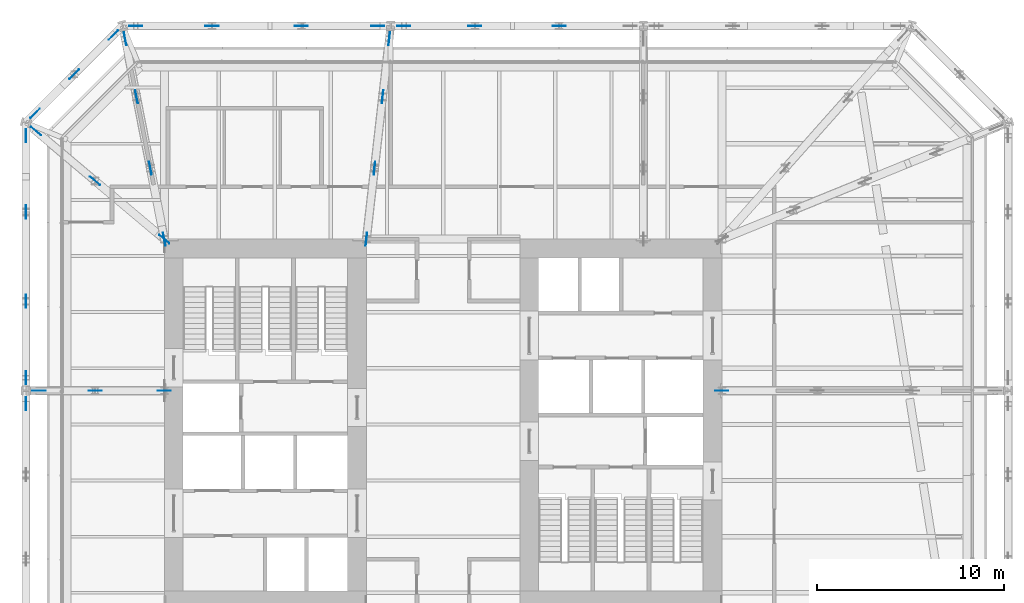
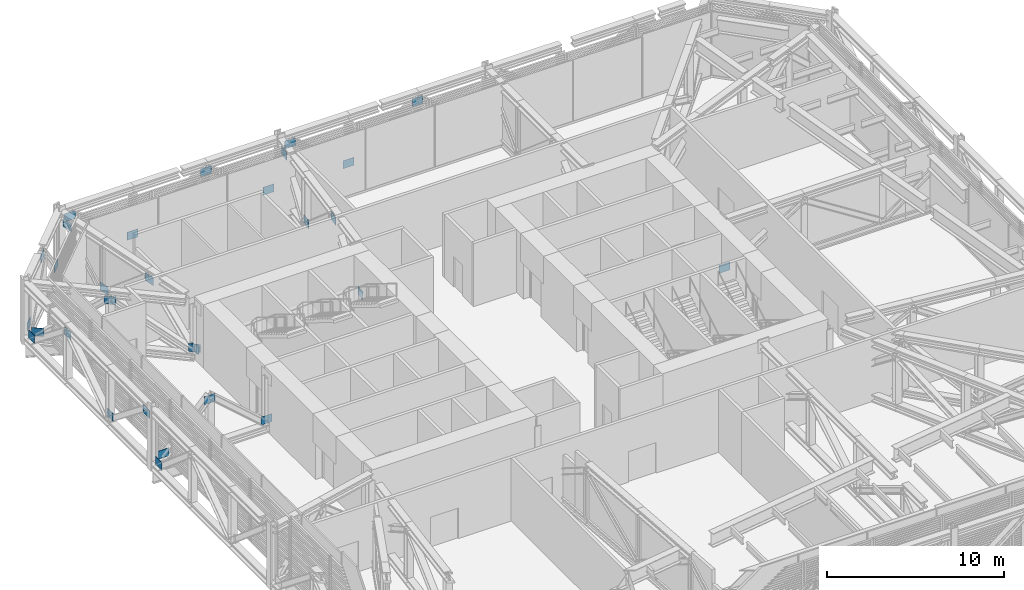
# One storey, part 29 of 31: 30 discrete accessories.
"""IFC4 building model written with IfcOpenShell, lengths in metres."""

from ifc_helpers import new_model, si_unit, direction, frame, origin, origin_2d, place, context, subcontext, project, spatial, rectangle, extrude, material, layer, layer_set, type_object, element, save


model = new_model("IFC4")

# Units and contexts
model_context = context("Model", 3, precision=1e-05, world=origin(), true_north=direction((0.0, 1.0)))
body_context = subcontext(model_context, "Body", "Model", "MODEL_VIEW")
ifc_project = project(units=[si_unit("LENGTHUNIT", "METRE"), si_unit("AREAUNIT", "SQUARE_METRE"), si_unit("VOLUMEUNIT", "CUBIC_METRE"), si_unit("PLANEANGLEUNIT", "RADIAN"), si_unit("MASSUNIT", "GRAM", prefix="KILO")], contexts=[model_context])

# Site, building, storey
site_placement = place(None, origin())
site = spatial("IfcSite", under=ifc_project, at=site_placement, CompositionType="ELEMENT")
building_placement = place(site_placement, origin())
building = spatial("IfcBuilding", under=site, at=building_placement, Name="Millrace Tower", CompositionType="ELEMENT")
storey_placement = place(building_placement, frame((0.0, 0.0, 120.39990234375)))
storey = spatial("IfcBuildingStorey", under=building, at=storey_placement, Name="L26", CompositionType="ELEMENT", Elevation=120.39990234375)

# Discrete accessories
ifc_material = material(Name="Steel ASTM A572 Grade 50", Category="steel")
ifc_layer = layer(ifc_material, 0.02490234375)
ifc_layer_set = layer_set([ifc_layer], Name="Steel ASTM A572 Grade 50")
discrete_accessory_type = type_object("IfcDiscreteAccessoryType", Name="Truss gusset plate 700x550x25", PredefinedType="BRACKET", material=ifc_layer_set)
for number, where, z_axis, x_axis, name in (
    (1, (5.85009765625, 21.300048828125, 3.46728515625), (1.0, 0.0, 0.0), (0.0, 1.0, 0.0), "Truss gusset plate BLT-L26-R11-D01 head"),
    (2, (1.35009765625, 21.300048828125, 0.77294921875), (1.0, 0.0, 0.0), (0.0, 1.0, 0.0), "Truss gusset plate BLT-L26-R11-D02 foot"),
    (3, (-2.449951171875, 21.300048828125, 3.46728515625), (1.0, 0.0, 0.0), (0.0, 1.0, 0.0), "Truss gusset plate BLT-L26-R11-D03 head"),
):
    element("IfcDiscreteAccessory", number, at=place(storey_placement, frame(where, z_axis=z_axis, x_axis=x_axis)), inside=storey, type_object=discrete_accessory_type, Name=name, PredefinedType="BRACKET", context=body_context, shape_type="SweptSolid", body=[
        extrude(rectangle(XDim=0.02490234375, YDim=0.550048828125, at=origin_2d()), origin(), (0.0, 0.0, 1.0), 0.699951171875),
    ])
discrete_accessory_1_placement = place(storey_placement, frame((-3.85009765625, 21.300048828125, 0.77294921875), z_axis=(1.0, 0.0, 0.0), x_axis=(0.0, 1.0, 0.0)))
element("IfcDiscreteAccessory", 4, at=discrete_accessory_1_placement, inside=storey, type_object=discrete_accessory_type, Name="Truss gusset plate BLT-L26-R12-D01 foot", PredefinedType="BRACKET", context=body_context, shape_type="SweptSolid", body=[
    extrude(rectangle(XDim=0.02490234375, YDim=0.550048828125, at=origin_2d()), origin(), (0.0, 0.0, 1.0), 0.7001953125),
])
discrete_accessory_2_placement = place(storey_placement, frame((-7.926025390625, 21.300048828125, 3.46728515625), z_axis=(1.0, 0.0, 0.0), x_axis=(0.0, 1.0, 0.0)))
element("IfcDiscreteAccessory", 5, at=discrete_accessory_2_placement, inside=storey, type_object=discrete_accessory_type, Name="Truss gusset plate BLT-L26-R12-D01 head", PredefinedType="BRACKET", context=body_context, shape_type="SweptSolid", body=[
    extrude(rectangle(XDim=0.02490234375, YDim=0.550048828125, at=origin_2d()), origin(), (0.0, 0.0, 1.0), 0.699951171875),
])
discrete_accessory_3_placement = place(storey_placement, frame((-12.702392578125, 21.300048828125, 0.77294921875), z_axis=(1.0, 0.0, 0.0), x_axis=(0.0, 1.0, 0.0)))
element("IfcDiscreteAccessory", 6, at=discrete_accessory_3_placement, inside=storey, type_object=discrete_accessory_type, Name="Truss gusset plate BLT-L26-R12-D02 foot", PredefinedType="BRACKET", context=body_context, shape_type="SweptSolid", body=[
    extrude(rectangle(XDim=0.02490234375, YDim=0.550048828125, at=origin_2d()), origin(), (0.0, 0.0, 1.0), 0.7001953125),
])
for number, where, z_axis, x_axis, name in (
    (7, (-16.7783203125, 21.300048828125, 3.46728515625), (1.0, 0.0, 0.0), (0.0, 1.0, 0.0), "Truss gusset plate BLT-L26-R12-D03 head"),
    (8, (-17.870849609375, 20.5576171875, 0.77294921875), (0.707106781187, 0.707106781187, 0.0), (-0.707106781187, 0.707106781187, 0.0), "Truss gusset plate BLT-L26-R13-D01 foot"),
    (9, (-19.961669921875, 18.466796875, 3.46728515625), (0.707106781187, 0.707106781187, 0.0), (-0.707106781187, 0.707106781187, 0.0), "Truss gusset plate BLT-L26-R13-D01 head"),
    (10, (-22.052490234375, 16.3759765625, 0.77294921875), (0.707106781187, 0.707106781187, 0.0), (-0.707106781187, 0.707106781187, 0.0), "Truss gusset plate BLT-L26-R13-D02 foot"),
    (11, (-22.300048828125, 15.078369140625, 0.77294921875), (0.0, 1.0, 0.0), (-1.0, 0.0, 0.0), "Truss gusset plate BLT-L26-R14-D01 foot"),
):
    element("IfcDiscreteAccessory", number, at=place(storey_placement, frame(where, z_axis=z_axis, x_axis=x_axis)), inside=storey, type_object=discrete_accessory_type, Name=name, PredefinedType="BRACKET", context=body_context, shape_type="SweptSolid", body=[
        extrude(rectangle(XDim=0.02490234375, YDim=0.550048828125, at=origin_2d()), origin(), (0.0, 0.0, 1.0), 0.699951171875),
    ])
discrete_accessory_4_placement = place(storey_placement, frame((-22.300048828125, 11.002197265625, 3.46728515625), z_axis=(0.0, 1.0, 0.0), x_axis=(-1.0, 0.0, 0.0)))
element("IfcDiscreteAccessory", 12, at=discrete_accessory_4_placement, inside=storey, type_object=discrete_accessory_type, Name="Truss gusset plate BLT-L26-R14-D01 head", PredefinedType="BRACKET", context=body_context, shape_type="SweptSolid", body=[
    extrude(rectangle(XDim=0.02490234375, YDim=0.550048828125, at=origin_2d()), origin(), (0.0, 0.0, 1.0), 0.7001953125),
])
discrete_accessory_5_placement = place(storey_placement, frame((-22.300048828125, 6.22607421875, 0.77294921875), z_axis=(0.0, 1.0, 0.0), x_axis=(-1.0, 0.0, 0.0)))
element("IfcDiscreteAccessory", 13, at=discrete_accessory_5_placement, inside=storey, type_object=discrete_accessory_type, Name="Truss gusset plate BLT-L26-R14-D02 foot", PredefinedType="BRACKET", context=body_context, shape_type="SweptSolid", body=[
    extrude(rectangle(XDim=0.02490234375, YDim=0.550048828125, at=origin_2d()), origin(), (0.0, 0.0, 1.0), 0.699951171875),
])
discrete_accessory_6_placement = place(storey_placement, frame((-22.300048828125, 2.14990234375, 3.46728515625), z_axis=(0.0, 1.0, 0.0), x_axis=(-1.0, 0.0, 0.0)))
element("IfcDiscreteAccessory", 14, at=discrete_accessory_6_placement, inside=storey, type_object=discrete_accessory_type, Name="Truss gusset plate BLT-L26-R14-D03 head", PredefinedType="BRACKET", context=body_context, shape_type="SweptSolid", body=[
    extrude(rectangle(XDim=0.02490234375, YDim=0.550048828125, at=origin_2d()), origin(), (0.0, 0.0, 1.0), 0.7001953125),
])
for number, where, z_axis, x_axis, name in (
    (15, (-22.300048828125, 0.75, 0.77294921875), (0.0, 1.0, 0.0), (-1.0, 0.0, 0.0), "Truss gusset plate BLT-L26-R15-D01 foot"),
    (16, (14.550048828125, 1.800048828125, 0.77294921875), (1.0, 0.0, 0.0), (0.0, 1.0, 0.0), "Truss gusset plate BLT-L26-O08-D01 foot"),
    (17, (-4.1396484375, 9.55224609375, 0.77294921875), (0.113340043286, 0.993556256378, 0.0), (-0.993556256378, 0.113340043286, 0.0), "Truss gusset plate BLT-L26-O12-D01 foot"),
):
    element("IfcDiscreteAccessory", number, at=place(storey_placement, frame(where, z_axis=z_axis, x_axis=x_axis)), inside=storey, type_object=discrete_accessory_type, Name=name, PredefinedType="BRACKET", context=body_context, shape_type="SweptSolid", body=[
        extrude(rectangle(XDim=0.02490234375, YDim=0.550048828125, at=origin_2d()), origin(), (0.0, 0.0, 1.0), 0.699951171875),
    ])
for number, where, z_axis, x_axis, name in (
    (18, (-3.706298828125, 13.352294921875, 3.46728515625), (0.113379328161, 0.993551774165, 0.0), (-0.993551774165, 0.113379328161, 0.0), "Truss gusset plate BLT-L26-O12-D01 head"),
    (19, (-3.27294921875, 17.15234375, 0.77294921875), (0.113379328161, 0.993551774165, 0.0), (-0.993551774165, 0.113379328161, 0.0), "Truss gusset plate BLT-L26-O12-D02 foot"),
):
    element("IfcDiscreteAccessory", number, at=place(storey_placement, frame(where, z_axis=z_axis, x_axis=x_axis)), inside=storey, type_object=discrete_accessory_type, Name=name, PredefinedType="BRACKET", context=body_context, shape_type="SweptSolid", body=[
        extrude(rectangle(XDim=0.02490234375, YDim=0.550048828125, at=origin_2d()), origin(), (0.0, 0.0, 1.0), 0.69970703125),
    ])
for number, where, z_axis, x_axis, name in (
    (20, (-2.9189453125, 20.2568359375, 3.46728515625), (0.113340043286, 0.993556256378, 0.0), (-0.993556256378, 0.113340043286, 0.0), "Truss gusset plate BLT-L26-O12-D03 head"),
    (21, (-14.967041015625, 10.243408203125, 0.77294921875), (0.191485774154, -0.981495388831, 0.0), (0.981495388831, 0.191485774154, 0.0), "Truss gusset plate BLT-L26-O13-D01 foot"),
    (22, (-15.7099609375, 14.04345703125, 3.46728515625), (0.191821741574, -0.981429783255, 0.0), (0.981429783255, 0.191821741574, 0.0), "Truss gusset plate BLT-L26-O13-D01 head"),
    (23, (-16.452880859375, 17.843505859375, 0.77294921875), (0.191821741574, -0.981429783255, 0.0), (0.981429783255, 0.191821741574, 0.0), "Truss gusset plate BLT-L26-O13-D02 foot"),
    (24, (-17.061279296875, 20.95654296875, 3.46728515625), (0.191821741574, -0.981429783255, 0.0), (0.981429783255, 0.191821741574, 0.0), "Truss gusset plate BLT-L26-O13-D03 head"),
):
    element("IfcDiscreteAccessory", number, at=place(storey_placement, frame(where, z_axis=z_axis, x_axis=x_axis)), inside=storey, type_object=discrete_accessory_type, Name=name, PredefinedType="BRACKET", context=body_context, shape_type="SweptSolid", body=[
        extrude(rectangle(XDim=0.02490234375, YDim=0.550048828125, at=origin_2d()), origin(), (0.0, 0.0, 1.0), 0.699951171875),
    ])
discrete_accessory_7_placement = place(storey_placement, frame((-15.167724609375, 10.12548828125, 0.77294921875), z_axis=(0.765010651267, -0.644017626659, 0.0), x_axis=(0.644017626659, 0.765010651267, 0.0)))
element("IfcDiscreteAccessory", 25, at=discrete_accessory_7_placement, inside=storey, type_object=discrete_accessory_type, Name="Truss gusset plate BLT-L26-O14-D01 foot", PredefinedType="BRACKET", context=body_context, shape_type="SweptSolid", body=[
    extrude(rectangle(XDim=0.02490234375, YDim=0.550048828125, at=origin_2d()), origin(), (0.0, 0.0, 1.0), 0.7001953125),
])
for number, where, z_axis, x_axis, name in (
    (26, (-18.867919921875, 13.239501953125, 3.46728515625), (0.765182451911, -0.643813494179, 0.0), (0.643813494179, 0.765182451911, 0.0), "Truss gusset plate BLT-L26-O14-D01 head"),
    (27, (-22.0322265625, 15.903076171875, 0.77294921875), (0.765182451911, -0.643813494179, 0.0), (0.643813494179, 0.765182451911, 0.0), "Truss gusset plate BLT-L26-O14-D02 foot"),
    (28, (-15.25, 1.800048828125, 0.77294921875), (1.0, 0.0, 0.0), (0.0, 1.0, 0.0), "Truss gusset plate BLT-L26-O15-D01 foot"),
    (29, (-18.949951171875, 1.800048828125, 3.46728515625), (1.0, 0.0, 0.0), (0.0, 1.0, 0.0), "Truss gusset plate BLT-L26-O15-D01 head"),
    (30, (-21.949951171875, 1.800048828125, 0.77294921875), (1.0, 0.0, 0.0), (0.0, 1.0, 0.0), "Truss gusset plate BLT-L26-O15-D02 foot"),
):
    element("IfcDiscreteAccessory", number, at=place(storey_placement, frame(where, z_axis=z_axis, x_axis=x_axis)), inside=storey, type_object=discrete_accessory_type, Name=name, PredefinedType="BRACKET", context=body_context, shape_type="SweptSolid", body=[
        extrude(rectangle(XDim=0.02490234375, YDim=0.550048828125, at=origin_2d()), origin(), (0.0, 0.0, 1.0), 0.699951171875),
    ])

save(model, "model.ifc")
